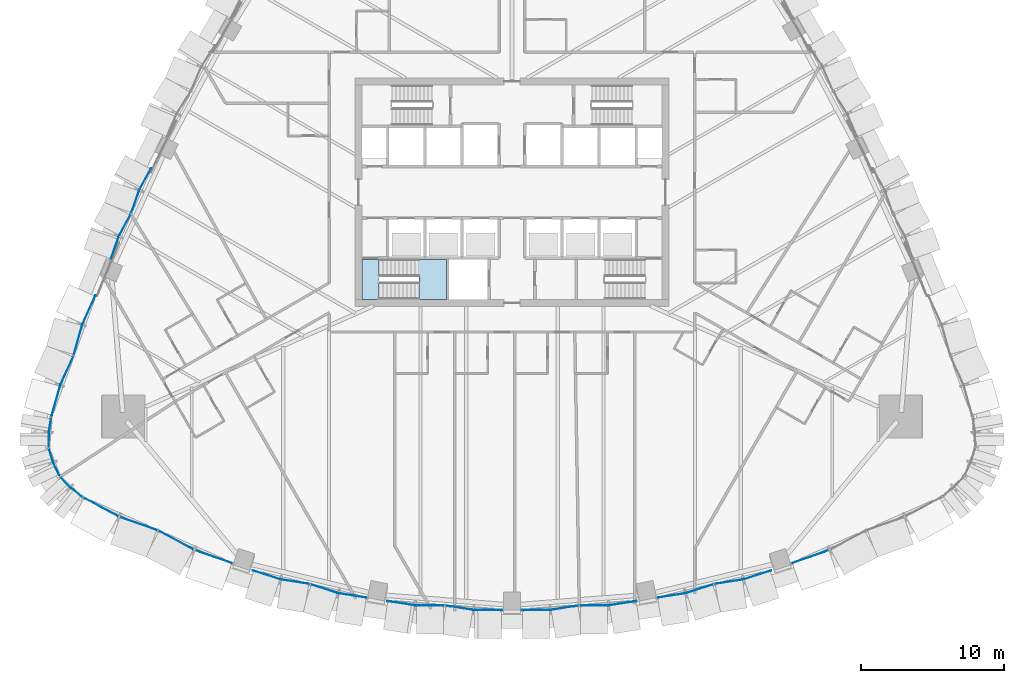
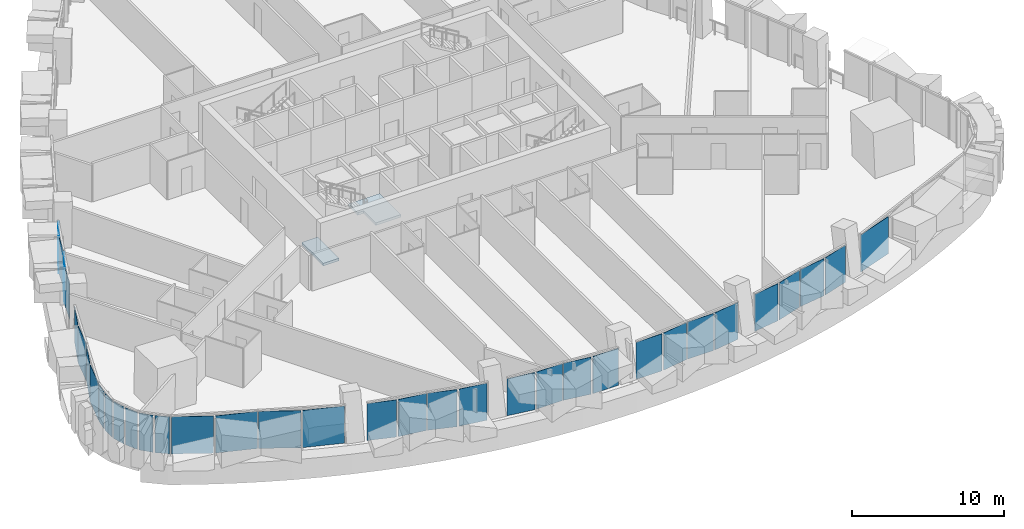
# One storey, part 10 of 27: 35 plates, 2 slabs, 12 elements without a shape of their own.
"""IFC4 building model written with IfcOpenShell, lengths in metres."""

from ifc_helpers import new_model, si_unit, direction, frame, origin, place, context, subcontext, project, spatial, polyline, outline, extrude, material, layer, layer_set, type_object, element, aggregate, save


model = new_model("IFC4")

# Units and contexts
model_context = context("Model", 3, precision=1e-05, world=origin(), true_north=direction((0.0, 1.0)))
body_context = subcontext(model_context, "Body", "Model", "MODEL_VIEW")
ifc_project = project(units=[si_unit("LENGTHUNIT", "METRE"), si_unit("AREAUNIT", "SQUARE_METRE"), si_unit("VOLUMEUNIT", "CUBIC_METRE"), si_unit("PLANEANGLEUNIT", "RADIAN"), si_unit("MASSUNIT", "GRAM", prefix="KILO")], contexts=[model_context])

# Site, building, storey
site_placement = place(None, origin())
site = spatial("IfcSite", under=ifc_project, at=site_placement, CompositionType="ELEMENT")
building_placement = place(site_placement, origin())
building = spatial("IfcBuilding", under=site, at=building_placement, Name="Sierra Prisma Convention Tower", CompositionType="ELEMENT")
storey_placement = place(building_placement, frame((0.0, 0.0, 48.0)))
storey = spatial("IfcBuildingStorey", under=building, at=storey_placement, Name="L07", CompositionType="ELEMENT", Elevation=48.0)

# Curtain wall, plates
ifc_material_1 = material(Name="Aluminium and glass curtain wall", Category="aluminium")
ifc_layer_1 = layer(ifc_material_1, 0.179931640625)
ifc_layer_set_1 = layer_set([ifc_layer_1], Name="CW-2 Faceted crystal curtain wall")
curtain_wall_type = type_object("IfcCurtainWallType", Name="CW-2 Faceted crystal curtain wall", PredefinedType="NOTDEFINED", material=ifc_layer_set_1)
curtain_wall_1_placement = place(storey_placement, origin())
curtain_wall_1 = element("IfcCurtainWall", 1, at=curtain_wall_1_placement, inside=storey, type_object=curtain_wall_type, Name="CW-2 S1 L07", PredefinedType="NOTDEFINED")
ifc_material_2 = material(Name="Tinted glass bronze-grey IGU", Category="glass")
ifc_layer_2 = layer(ifc_material_2, 0.028076171875)
ifc_layer_set_2 = layer_set([ifc_layer_2], Name="CW-2 crystal pane")
plate_type = type_object("IfcPlateType", Name="CW-2 crystal pane", PredefinedType="CURTAIN_PANEL", material=ifc_layer_set_2)
plate_1_placement = place(storey_placement, frame((-30.0322265625, -21.39697265625, 0.0), z_axis=(-0.474052759315, -0.880496440303, 0.0), x_axis=(0.880496440303, -0.474052759315, 0.0)))
plate_1 = element("IfcPlate", 2, at=plate_1_placement, type_object=plate_type, Name="CW-2 pane S1.1.1", PredefinedType="CURTAIN_PANEL", context=body_context, shape_type="SweptSolid", body=[
    extrude(outline(polyline([(0.0, 0.0), (2.7841293881681937, 0.0), (2.7841293881681937, 2.97998046875), (0.0, 2.97998046875), (0.0, 0.0)])), origin(), (0.0, 0.0, -1.0), 0.028076171875),
])
plate_2_placement = place(storey_placement, frame((-24.834228515625, -23.68896484375, 0.0), z_axis=(-0.330397293839, -0.943841950871, 0.0), x_axis=(-0.943841950871, 0.330397293839, 0.0)))
plate_2 = element("IfcPlate", 3, at=plate_2_placement, type_object=plate_type, Name="CW-2 pane S1.1.2", PredefinedType="CURTAIN_PANEL", context=body_context, shape_type="SweptSolid", body=[
    extrude(outline(polyline([(0.0, 0.0), (2.7842899810449637, 0.0), (2.7842899810449637, -2.9799804687500004), (0.0, -2.9799804687500004), (0.0, 0.0)])), origin(), (0.0, 0.0, -1.0), 0.028076171875),
])
plate_3_placement = place(storey_placement, frame((-24.770263671875, -23.71728515625, 0.0), z_axis=(-0.474016159722, -0.880516144271, 0.0), x_axis=(0.880516144271, -0.474016159722, 0.0)))
plate_3 = element("IfcPlate", 4, at=plate_3_placement, type_object=plate_type, Name="CW-2 pane S1.2.1", PredefinedType="CURTAIN_PANEL", context=body_context, shape_type="SweptSolid", body=[
    extrude(outline(polyline([(0.0, 0.0), (2.784344355524801, 0.0), (2.784344355524801, 2.97998046875), (0.0, 2.97998046875), (0.0, 0.0)])), origin(), (0.0, 0.0, -1.0), 0.028076171875),
])
plate_4_placement = place(storey_placement, frame((-19.572265625, -26.00927734375, 0.0), z_axis=(-0.330397293839, -0.943841950871, 0.0), x_axis=(-0.943841950871, 0.330397293839, 0.0)))
plate_4 = element("IfcPlate", 5, at=plate_4_placement, type_object=plate_type, Name="CW-2 pane S1.2.2", PredefinedType="CURTAIN_PANEL", context=body_context, shape_type="SweptSolid", body=[
    extrude(outline(polyline([(0.0, 0.0), (2.7842899810449637, 0.0), (2.7842899810449637, -2.9799804687500004), (0.0, -2.9799804687500004), (0.0, 0.0)])), origin(), (0.0, 0.0, -1.0), 0.028076171875),
])
aggregate(curtain_wall_1, [plate_1, plate_2, plate_3, plate_4])

curtain_wall_2_placement = place(storey_placement, origin())
curtain_wall_2 = element("IfcCurtainWall", 6, at=curtain_wall_2_placement, inside=storey, type_object=curtain_wall_type, Name="CW-2 S2 L07", PredefinedType="NOTDEFINED")
plate_5_placement = place(storey_placement, frame((-18.14990234375, -26.5048828125, 0.0), z_axis=(-0.307935111495, -0.951407361286, 0.0), x_axis=(0.951407361286, -0.307935111495, 0.0)))
plate_5 = element("IfcPlate", 7, at=plate_5_placement, type_object=plate_type, Name="CW-2 pane S2.1.1", PredefinedType="CURTAIN_PANEL", context=body_context, shape_type="SweptSolid", body=[
    extrude(outline(polyline([(0.0, 0.0), (1.9812856640900063, 0.0), (1.9812856640900063, 2.97998046875), (0.0, 2.97998046875), (0.0, 0.0)])), origin(), (0.0, 0.0, -1.0), 0.028076171875),
])
plate_6_placement = place(storey_placement, frame((-14.181396484375, -27.453125, 0.0), z_axis=(-0.155380415163, -0.987854709248, 0.0), x_axis=(-0.987854709248, 0.155380415163, 0.0)))
plate_6 = element("IfcPlate", 8, at=plate_6_placement, type_object=plate_type, Name="CW-2 pane S2.1.2", PredefinedType="CURTAIN_PANEL", context=body_context, shape_type="SweptSolid", body=[
    extrude(outline(polyline([(0.0, 0.0), (1.9813393329011402, 0.0), (1.9813393329011402, -2.97998046875), (0.0, -2.97998046875), (0.0, 0.0)])), origin(), (0.0, 0.0, -1.0), 0.028076171875),
])
plate_7_placement = place(storey_placement, frame((-14.11328125, -27.46923828125, 0.0), z_axis=(-0.308046643947, -0.951371255164, 0.0), x_axis=(0.951371255164, -0.308046643947, 0.0)))
plate_7 = element("IfcPlate", 9, at=plate_7_placement, type_object=plate_type, Name="CW-2 pane S2.2.1", PredefinedType="CURTAIN_PANEL", context=body_context, shape_type="SweptSolid", body=[
    extrude(outline(polyline([(0.0, 0.0), (1.9813608571756456, 0.0), (1.9813608571756456, 2.97998046875), (0.0, 2.97998046875), (0.0, 0.0)])), origin(), (0.0, 0.0, -1.0), 0.028076171875),
])
plate_8_placement = place(storey_placement, frame((-10.144775390625, -28.41748046875, 0.0), z_axis=(-0.155361503996, -0.987857683614, 0.0), x_axis=(-0.987857683614, 0.155361503996, 0.0)))
plate_8 = element("IfcPlate", 10, at=plate_8_placement, type_object=plate_type, Name="CW-2 pane S2.2.2", PredefinedType="CURTAIN_PANEL", context=body_context, shape_type="SweptSolid", body=[
    extrude(outline(polyline([(0.0, 0.0), (1.9815805087303693, 0.0), (1.9815805087303693, -2.97998046875), (0.0, -2.97998046875), (0.0, 0.0)])), origin(), (0.0, 0.0, -1.0), 0.028076171875),
])
aggregate(curtain_wall_2, [plate_5, plate_6, plate_7, plate_8])

curtain_wall_3_placement = place(storey_placement, origin())
curtain_wall_3 = element("IfcCurtainWall", 11, at=curtain_wall_3_placement, inside=storey, type_object=curtain_wall_type, Name="CW-2 S3 L07", PredefinedType="NOTDEFINED")
plate_9_placement = place(storey_placement, frame((-8.753173828125, -28.642333984375, 0.0), z_axis=(-0.155666979152, -0.987809592787, 0.0), x_axis=(0.987809592787, -0.155666979152, 0.0)))
plate_9 = element("IfcPlate", 12, at=plate_9_placement, type_object=plate_type, Name="CW-2 pane S3.1.1", PredefinedType="CURTAIN_PANEL", context=body_context, shape_type="SweptSolid", body=[
    extrude(outline(polyline([(0.0, 0.0), (1.951029943243251, 0.0), (1.951029943243251, 2.97998046875), (0.0, 2.97998046875), (0.0, 0.0)])), origin(), (0.0, 0.0, -1.0), 0.028076171875),
])
plate_10_placement = place(storey_placement, frame((-4.74560546875, -28.954345703125, 0.0), z_axis=(0.000875985148, -0.999999616325, 0.0), x_axis=(-0.999999616325, -0.000875985148, 0.0)))
plate_10 = element("IfcPlate", 13, at=plate_10_placement, type_object=plate_type, Name="CW-2 pane S3.1.2", PredefinedType="CURTAIN_PANEL", context=body_context, shape_type="SweptSolid", body=[
    extrude(outline(polyline([(0.0, 0.0), (1.9509284828976088, 0.0), (1.9509284828976088, -2.97998046875), (0.0, -2.97998046875), (0.0, 0.0)])), origin(), (0.0, 0.0, -1.0), 0.028076171875),
])
plate_11_placement = place(storey_placement, frame((-4.67578125, -28.959716796875, 0.0), z_axis=(-0.155525648521, -0.987831854443, 0.0), x_axis=(0.987831854443, -0.155525648521, 0.0)))
plate_11 = element("IfcPlate", 14, at=plate_11_placement, type_object=plate_type, Name="CW-2 pane S3.2.1", PredefinedType="CURTAIN_PANEL", context=body_context, shape_type="SweptSolid", body=[
    extrude(outline(polyline([(0.0, 0.0), (1.951233123031834, 0.0), (1.951233123031834, 2.97998046875), (0.0, 2.97998046875), (0.0, 0.0)])), origin(), (0.0, 0.0, -1.0), 0.028076171875),
])
plate_12_placement = place(storey_placement, frame((-0.66796875, -29.271484375, 0.0), z_axis=(0.00087587554, -0.999999616421, 0.0), x_axis=(-0.999999616421, -0.00087587554, 0.0)))
plate_12 = element("IfcPlate", 15, at=plate_12_placement, type_object=plate_type, Name="CW-2 pane S3.2.2", PredefinedType="CURTAIN_PANEL", context=body_context, shape_type="SweptSolid", body=[
    extrude(outline(polyline([(0.0, 0.0), (1.9511726234289497, 0.0), (1.9511726234289497, -2.97998046875), (0.0, -2.97998046875), (0.0, 0.0)])), origin(), (0.0, 0.0, -1.0), 0.028076171875),
])
aggregate(curtain_wall_3, [plate_9, plate_10, plate_11, plate_12])

curtain_wall_4_placement = place(storey_placement, origin())
curtain_wall_4 = element("IfcCurtainWall", 16, at=curtain_wall_4_placement, inside=storey, type_object=curtain_wall_type, Name="CW-2 S4 L07", PredefinedType="NOTDEFINED")
plate_13_placement = place(storey_placement, frame((0.66796875, -29.271484375, 0.0), z_axis=(-0.00087587554, -0.999999616421, 0.0), x_axis=(0.999999616421, -0.00087587554, 0.0)))
plate_13 = element("IfcPlate", 17, at=plate_13_placement, type_object=plate_type, Name="CW-2 pane S4.1.1", PredefinedType="CURTAIN_PANEL", context=body_context, shape_type="SweptSolid", body=[
    extrude(outline(polyline([(0.0, 0.0), (1.9511726234289497, 0.0), (1.9511726234289497, 2.97998046875), (0.0, 2.97998046875), (0.0, 0.0)])), origin(), (0.0, 0.0, -1.0), 0.028076171875),
])
plate_14_placement = place(storey_placement, frame((4.67578125, -28.959716796875, 0.0), z_axis=(0.155525648521, -0.987831854443, 0.0), x_axis=(-0.987831854443, -0.155525648521, 0.0)))
plate_14 = element("IfcPlate", 18, at=plate_14_placement, type_object=plate_type, Name="CW-2 pane S4.1.2", PredefinedType="CURTAIN_PANEL", context=body_context, shape_type="SweptSolid", body=[
    extrude(outline(polyline([(0.0, 0.0), (1.951233123031834, 0.0), (1.951233123031834, -2.97998046875), (0.0, -2.97998046875), (0.0, 0.0)])), origin(), (0.0, 0.0, -1.0), 0.028076171875),
])
plate_15_placement = place(storey_placement, frame((4.74560546875, -28.954345703125, 0.0), z_axis=(-0.000875985148, -0.999999616325, 0.0), x_axis=(0.999999616325, -0.000875985148, 0.0)))
plate_15 = element("IfcPlate", 19, at=plate_15_placement, type_object=plate_type, Name="CW-2 pane S4.2.1", PredefinedType="CURTAIN_PANEL", context=body_context, shape_type="SweptSolid", body=[
    extrude(outline(polyline([(0.0, 0.0), (1.9509284828976088, 0.0), (1.9509284828976088, 2.97998046875), (0.0, 2.97998046875), (0.0, 0.0)])), origin(), (0.0, 0.0, -1.0), 0.028076171875),
])
plate_16_placement = place(storey_placement, frame((8.753173828125, -28.642333984375, 0.0), z_axis=(0.155666979152, -0.987809592787, 0.0), x_axis=(-0.987809592787, -0.155666979152, 0.0)))
plate_16 = element("IfcPlate", 20, at=plate_16_placement, type_object=plate_type, Name="CW-2 pane S4.2.2", PredefinedType="CURTAIN_PANEL", context=body_context, shape_type="SweptSolid", body=[
    extrude(outline(polyline([(0.0, 0.0), (1.951029943243251, 0.0), (1.951029943243251, -2.97998046875), (0.0, -2.97998046875), (0.0, 0.0)])), origin(), (0.0, 0.0, -1.0), 0.028076171875),
])
aggregate(curtain_wall_4, [plate_13, plate_14, plate_15, plate_16])

curtain_wall_5_placement = place(storey_placement, origin())
curtain_wall_5 = element("IfcCurtainWall", 21, at=curtain_wall_5_placement, inside=storey, type_object=curtain_wall_type, Name="CW-2 S5 L07", PredefinedType="NOTDEFINED")
plate_17_placement = place(storey_placement, frame((10.144775390625, -28.41748046875, 0.0), z_axis=(0.155361503996, -0.987857683614, 0.0), x_axis=(0.987857683614, 0.155361503996, 0.0)))
plate_17 = element("IfcPlate", 22, at=plate_17_placement, type_object=plate_type, Name="CW-2 pane S5.1.1", PredefinedType="CURTAIN_PANEL", context=body_context, shape_type="SweptSolid", body=[
    extrude(outline(polyline([(0.0, 0.0), (1.9815805087303693, 0.0), (1.9815805087303693, 2.97998046875), (0.0, 2.97998046875), (0.0, 0.0)])), origin(), (0.0, 0.0, -1.0), 0.028076171875),
])
plate_18_placement = place(storey_placement, frame((14.11328125, -27.46923828125, 0.0), z_axis=(0.308046643947, -0.951371255164, 0.0), x_axis=(-0.951371255164, -0.308046643947, 0.0)))
plate_18 = element("IfcPlate", 23, at=plate_18_placement, type_object=plate_type, Name="CW-2 pane S5.1.2", PredefinedType="CURTAIN_PANEL", context=body_context, shape_type="SweptSolid", body=[
    extrude(outline(polyline([(0.0, 0.0), (1.9813608571756456, 0.0), (1.9813608571756456, -2.97998046875), (0.0, -2.97998046875), (0.0, 0.0)])), origin(), (0.0, 0.0, -1.0), 0.028076171875),
])
plate_19_placement = place(storey_placement, frame((14.181396484375, -27.453125, 0.0), z_axis=(0.155380415163, -0.987854709248, 0.0), x_axis=(0.987854709248, 0.155380415163, 0.0)))
plate_19 = element("IfcPlate", 24, at=plate_19_placement, type_object=plate_type, Name="CW-2 pane S5.2.1", PredefinedType="CURTAIN_PANEL", context=body_context, shape_type="SweptSolid", body=[
    extrude(outline(polyline([(0.0, 0.0), (1.9813393329011402, 0.0), (1.9813393329011402, 2.97998046875), (0.0, 2.97998046875), (0.0, 0.0)])), origin(), (0.0, 0.0, -1.0), 0.028076171875),
])
plate_20_placement = place(storey_placement, frame((18.14990234375, -26.5048828125, 0.0), z_axis=(0.307935111495, -0.951407361286, 0.0), x_axis=(-0.951407361286, -0.307935111495, 0.0)))
plate_20 = element("IfcPlate", 25, at=plate_20_placement, type_object=plate_type, Name="CW-2 pane S5.2.2", PredefinedType="CURTAIN_PANEL", context=body_context, shape_type="SweptSolid", body=[
    extrude(outline(polyline([(0.0, 0.0), (1.9812856640900063, 0.0), (1.9812856640900063, -2.97998046875), (0.0, -2.97998046875), (0.0, 0.0)])), origin(), (0.0, 0.0, -1.0), 0.028076171875),
])
aggregate(curtain_wall_5, [plate_17, plate_18, plate_19, plate_20])

# Curtain wall, plate
curtain_wall_6_placement = place(storey_placement, origin())
curtain_wall_6 = element("IfcCurtainWall", 26, at=curtain_wall_6_placement, inside=storey, type_object=curtain_wall_type, Name="CW-2 S6 L07", PredefinedType="NOTDEFINED")
plate_21_placement = place(storey_placement, frame((19.572998046875, -26.009033203125, 0.0), z_axis=(0.330424639919, -0.943832377774, 0.0), x_axis=(0.943832377774, 0.330424639919, 0.0)))
plate_21 = element("IfcPlate", 27, at=plate_21_placement, type_object=plate_type, Name="CW-2 pane S6.1.1", PredefinedType="CURTAIN_PANEL", context=body_context, shape_type="SweptSolid", body=[
    extrude(outline(polyline([(0.0, 0.0), (2.7840595520497198, 0.0), (2.7840595520497198, 2.97998046875), (0.0, 2.97998046875), (0.0, 0.0)])), origin(), (0.0, 0.0, -1.0), 0.028076171875),
])
aggregate(curtain_wall_6, [plate_21])

# Curtain wall, plates
curtain_wall_7_placement = place(storey_placement, origin())
curtain_wall_7 = element("IfcCurtainWall", 28, at=curtain_wall_7_placement, inside=storey, type_object=curtain_wall_type, Name="CW-2 NW5 L07", PredefinedType="NOTDEFINED")
plate_22_placement = place(storey_placement, frame((-25.294677734375, 1.681640625, 0.0), z_axis=(-0.879977538006, 0.475015297232, 0.0), x_axis=(-0.475015297232, -0.879977538006, 0.0)))
plate_22 = element("IfcPlate", 29, at=plate_22_placement, type_object=plate_type, Name="CW-2 pane NW5.1.1", PredefinedType="CURTAIN_PANEL", context=body_context, shape_type="SweptSolid", body=[
    extrude(outline(polyline([(0.0, 0.0), (1.6693541336897766, 0.0), (1.6693541336897766, 2.97998046875), (0.0, 2.97998046875), (0.0, 0.0)])), origin(), (0.0, 0.0, -1.0), 0.028076171875),
])
plate_23_placement = place(storey_placement, frame((-26.693603515625, -1.481201171875, 0.0), z_axis=(-0.943456431626, 0.331496548434, 0.0), x_axis=(0.331496548434, 0.943456431626, 0.0)))
plate_23 = element("IfcPlate", 30, at=plate_23_placement, type_object=plate_type, Name="CW-2 pane NW5.1.2", PredefinedType="CURTAIN_PANEL", context=body_context, shape_type="SweptSolid", body=[
    extrude(outline(polyline([(0.0, 0.0), (1.6696004814820358, 0.0), (1.6696004814820358, -2.97998046875), (0.0, -2.97998046875), (0.0, 0.0)])), origin(), (0.0, 0.0, -1.0), 0.028076171875),
])
plate_24_placement = place(storey_placement, frame((-26.721923828125, -1.545166015625, 0.0), z_axis=(-0.879977538006, 0.475015297232, 0.0), x_axis=(-0.475015297232, -0.879977538006, 0.0)))
plate_24 = element("IfcPlate", 31, at=plate_24_placement, type_object=plate_type, Name="CW-2 pane NW5.2.1", PredefinedType="CURTAIN_PANEL", context=body_context, shape_type="SweptSolid", body=[
    extrude(outline(polyline([(0.0, 0.0), (1.6693541336897766, 0.0), (1.6693541336897766, 2.97998046875), (0.0, 2.97998046875), (0.0, 0.0)])), origin(), (0.0, 0.0, -1.0), 0.028076171875),
])
plate_25_placement = place(storey_placement, frame((-28.120849609375, -4.7080078125, 0.0), z_axis=(-0.943456431626, 0.331496548434, 0.0), x_axis=(0.331496548434, 0.943456431626, 0.0)))
plate_25 = element("IfcPlate", 32, at=plate_25_placement, type_object=plate_type, Name="CW-2 pane NW5.2.2", PredefinedType="CURTAIN_PANEL", context=body_context, shape_type="SweptSolid", body=[
    extrude(outline(polyline([(0.0, 0.0), (1.6696004814820358, 0.0), (1.6696004814820358, -2.97998046875), (0.0, -2.97998046875), (0.0, 0.0)])), origin(), (0.0, 0.0, -1.0), 0.028076171875),
])
aggregate(curtain_wall_7, [plate_22, plate_23, plate_24, plate_25])

curtain_wall_8_placement = place(storey_placement, origin())
curtain_wall_8 = element("IfcCurtainWall", 33, at=curtain_wall_8_placement, inside=storey, type_object=curtain_wall_type, Name="CW-2 NW6 L07", PredefinedType="NOTDEFINED")
plate_26_placement = place(storey_placement, frame((-29.185302734375, -7.226806640625, 0.0), z_axis=(-0.910104282246, 0.414379289345, 0.0), x_axis=(-0.414379289345, -0.910104282246, 0.0)))
plate_26 = element("IfcPlate", 34, at=plate_26_placement, type_object=plate_type, Name="CW-2 pane NW6.1.1", PredefinedType="CURTAIN_PANEL", context=body_context, shape_type="SweptSolid", body=[
    extrude(outline(polyline([(0.0, 0.0), (2.1699200346052194, 0.0), (2.1699200346052194, 2.9799804687500004), (0.0, 2.9799804687500004), (0.0, 0.0)])), origin(), (0.0, 0.0, -1.0), 0.028076171875),
])
plate_27_placement = place(storey_placement, frame((-30.708251953125, -11.41455078125, 0.0), z_axis=(-0.963696623228, 0.266999659886, 0.0), x_axis=(0.266999659886, 0.963696623228, 0.0)))
plate_27 = element("IfcPlate", 35, at=plate_27_placement, type_object=plate_type, Name="CW-2 pane NW6.1.2", PredefinedType="CURTAIN_PANEL", context=body_context, shape_type="SweptSolid", body=[
    extrude(outline(polyline([(0.0, 0.0), (2.169836858119144, 0.0), (2.169836858119144, -2.9799804687500004), (0.0, -2.9799804687500004), (0.0, 0.0)])), origin(), (0.0, 0.0, -1.0), 0.028076171875),
])
plate_28_placement = place(storey_placement, frame((-30.73193359375, -11.48046875, 0.0), z_axis=(-0.910061848233, 0.414472474829, 0.0), x_axis=(-0.414472474829, -0.910061848233, 0.0)))
plate_28 = element("IfcPlate", 36, at=plate_28_placement, type_object=plate_type, Name="CW-2 pane NW6.2.1", PredefinedType="CURTAIN_PANEL", context=body_context, shape_type="SweptSolid", body=[
    extrude(outline(polyline([(0.0, 0.0), (2.1700212127993534, 0.0), (2.1700212127993534, 2.97998046875), (0.0, 2.97998046875), (0.0, 0.0)])), origin(), (0.0, 0.0, -1.0), 0.028076171875),
])
plate_29_placement = place(storey_placement, frame((-32.2548828125, -15.66845703125, 0.0), z_axis=(-0.963704643032, 0.266970711874, 0.0), x_axis=(0.266970711874, 0.963704643032, 0.0)))
plate_29 = element("IfcPlate", 37, at=plate_29_placement, type_object=plate_type, Name="CW-2 pane NW6.2.2", PredefinedType="CURTAIN_PANEL", context=body_context, shape_type="SweptSolid", body=[
    extrude(outline(polyline([(0.0, 0.0), (2.1700721365940816, 0.0), (2.1700721365940816, -2.97998046875), (0.0, -2.97998046875), (0.0, 0.0)])), origin(), (0.0, 0.0, -1.0), 0.028076171875),
])
aggregate(curtain_wall_8, [plate_26, plate_27, plate_28, plate_29])

curtain_wall_9_placement = place(storey_placement, origin())
curtain_wall_9 = element("IfcCurtainWall", 38, at=curtain_wall_9_placement, inside=storey, type_object=curtain_wall_type, Name="CW-2 SW1 L07", PredefinedType="NOTDEFINED")
plate_30_placement = place(storey_placement, frame((-32.284912109375, -15.803955078125, 0.0), z_axis=(-0.986393923832, 0.164398987305, 0.0), x_axis=(-0.164398987305, -0.986393923832, 0.0)))
plate_30 = element("IfcPlate", 39, at=plate_30_placement, type_object=plate_type, Name="CW-2 pane SW1.1.1", PredefinedType="CURTAIN_PANEL", context=body_context, shape_type="SweptSolid", body=[
    extrude(outline(polyline([(0.0, 0.0), (0.9489465959132233, 0.0), (0.9489465959132233, 2.9799804687500004), (0.0, 2.9799804687500004), (0.0, 0.0)])), origin(), (0.0, 0.0, -1.0), 0.028076171875),
])
plate_31_placement = place(storey_placement, frame((-32.4599609375, -17.81787109375, 0.0), z_axis=(-0.999966114117, 0.008232291138, 0.0), x_axis=(0.008232291138, 0.999966114117, 0.0)))
plate_31 = element("IfcPlate", 40, at=plate_31_placement, type_object=plate_type, Name="CW-2 pane SW1.1.2", PredefinedType="CURTAIN_PANEL", context=body_context, shape_type="SweptSolid", body=[
    extrude(outline(polyline([(0.0, 0.0), (0.9490067673071061, 0.0), (0.9490067673071061, -2.9799804687499996), (0.0, -2.9799804687499996), (0.0, 0.0)])), origin(), (0.0, 0.0, -1.0), 0.028076171875),
])
aggregate(curtain_wall_9, [plate_30, plate_31])

curtain_wall_10_placement = place(storey_placement, origin())
curtain_wall_10 = element("IfcCurtainWall", 41, at=curtain_wall_10_placement, inside=storey, type_object=curtain_wall_type, Name="CW-2 SW2 L07", PredefinedType="NOTDEFINED")
plate_32_placement = place(storey_placement, frame((-32.44091796875, -17.952880859375, 0.0), z_axis=(-0.957889994002, -0.287135437364, 0.0), x_axis=(0.287135437364, -0.957889994002, 0.0)))
plate_32 = element("IfcPlate", 42, at=plate_32_placement, type_object=plate_type, Name="CW-2 pane SW2.1.1", PredefinedType="CURTAIN_PANEL", context=body_context, shape_type="SweptSolid", body=[
    extrude(outline(polyline([(0.0, 0.0), (0.9488934559982667, 0.0), (0.9488934559982667, 2.9799804687499996), (0.0, 2.9799804687499996), (0.0, 0.0)])), origin(), (0.0, 0.0, -1.0), 0.028076171875),
])
plate_33_placement = place(storey_placement, frame((-31.710693359375, -19.838134765625, 0.0), z_axis=(-0.901314229564, -0.433165856902, 0.0), x_axis=(-0.433165856902, 0.901314229564, 0.0)))
plate_33 = element("IfcPlate", 43, at=plate_33_placement, type_object=plate_type, Name="CW-2 pane SW2.1.2", PredefinedType="CURTAIN_PANEL", context=body_context, shape_type="SweptSolid", body=[
    extrude(outline(polyline([(0.0, 0.0), (0.9491348543493294, 0.0), (0.9491348543493294, -2.97998046875), (0.0, -2.97998046875), (0.0, 0.0)])), origin(), (0.0, 0.0, -1.0), 0.028076171875),
])
aggregate(curtain_wall_10, [plate_32, plate_33])

curtain_wall_11_placement = place(storey_placement, origin())
curtain_wall_11 = element("IfcCurtainWall", 44, at=curtain_wall_11_placement, inside=storey, type_object=curtain_wall_type, Name="CW-2 SW3 L07", PredefinedType="NOTDEFINED")
plate_34_placement = place(storey_placement, frame((-31.6337890625, -19.95068359375, 0.0), z_axis=(-0.733608622413, -0.67957221038, 0.0), x_axis=(0.67957221038, -0.733608622413, 0.0)))
plate_34 = element("IfcPlate", 45, at=plate_34_placement, type_object=plate_type, Name="CW-2 pane SW3.1.1", PredefinedType="CURTAIN_PANEL", context=body_context, shape_type="SweptSolid", body=[
    extrude(outline(polyline([(0.0, 0.0), (0.948795993680199, 0.0), (0.948795993680199, 2.97998046875), (0.0, 2.97998046875), (0.0, 0.0)])), origin(), (0.0, 0.0, -1.0), 0.028076171875),
])
plate_35_placement = place(storey_placement, frame((-30.147705078125, -21.3212890625, 0.0), z_axis=(-0.618241875666, -0.785987902688, 0.0), x_axis=(-0.785987902688, 0.618241875666, 0.0)))
plate_35 = element("IfcPlate", 46, at=plate_35_placement, type_object=plate_type, Name="CW-2 pane SW3.1.2", PredefinedType="CURTAIN_PANEL", context=body_context, shape_type="SweptSolid", body=[
    extrude(outline(polyline([(0.0, 0.0), (0.9489326830906705, 0.0), (0.9489326830906705, -2.97998046875), (0.0, -2.97998046875), (0.0, 0.0)])), origin(), (0.0, 0.0, -1.0), 0.028076171875),
])
aggregate(curtain_wall_11, [plate_34, plate_35])

# Stair, slab
ifc_material_3 = material(Name="Concrete C30/37", Category="concrete")
stair_type = type_object("IfcStairType", Name="Stair dog-leg 1200 RC", PredefinedType="HALF_TURN_STAIR", material=ifc_material_3)
stair_placement = place(storey_placement, origin())
stair = element("IfcStair", 47, at=stair_placement, inside=storey, type_object=stair_type, Name="L07 S1", PredefinedType="HALF_TURN_STAIR")
ifc_material_4 = material(Name="Concrete C35/45", Category="concrete")
ifc_layer_3 = layer(ifc_material_4, 0.199951171875)
ifc_layer_set_3 = layer_set([ifc_layer_3], Name="Stair landing slab")
slab_type = type_object("IfcSlabType", Name="Stair landing slab", PredefinedType="LANDING", material=ifc_layer_set_3)
slab_1_placement = place(storey_placement, frame((0.0, 0.0, 1.64990234375)))
slab_1 = element("IfcSlab", 48, at=slab_1_placement, type_object=slab_type, Name="S1 landing 1", PredefinedType="LANDING", context=body_context, shape_type="SweptSolid", body=[
    extrude(outline(polyline([(-4.60009765625, -4.699951171875), (-4.60009765625, -7.5), (-6.501953125, -7.5), (-6.501953125, -5.89990234375), (-6.949951171875, -5.89990234375), (-6.949951171875, -4.699951171875), (-4.60009765625, -4.699951171875)])), origin(), (0.0, 0.0, 1.0), 0.2001953125),
])
aggregate(stair, [slab_1])

# Slab
slab_2_placement = place(storey_placement, frame((0.0, 0.0, -0.199951171875)))
element("IfcSlab", 49, at=slab_2_placement, inside=storey, type_object=slab_type, Name="S1 floor landing L07", PredefinedType="LANDING", context=body_context, shape_type="SweptSolid", body=[
    extrude(outline(polyline([(-10.5, -7.5), (-9.298095703125, -7.5), (-9.298095703125, -4.699951171875), (-10.5, -4.699951171875), (-10.5, -7.5)])), origin(), (0.0, 0.0, 1.0), 0.199951171875),
])

save(model, "model.ifc")
